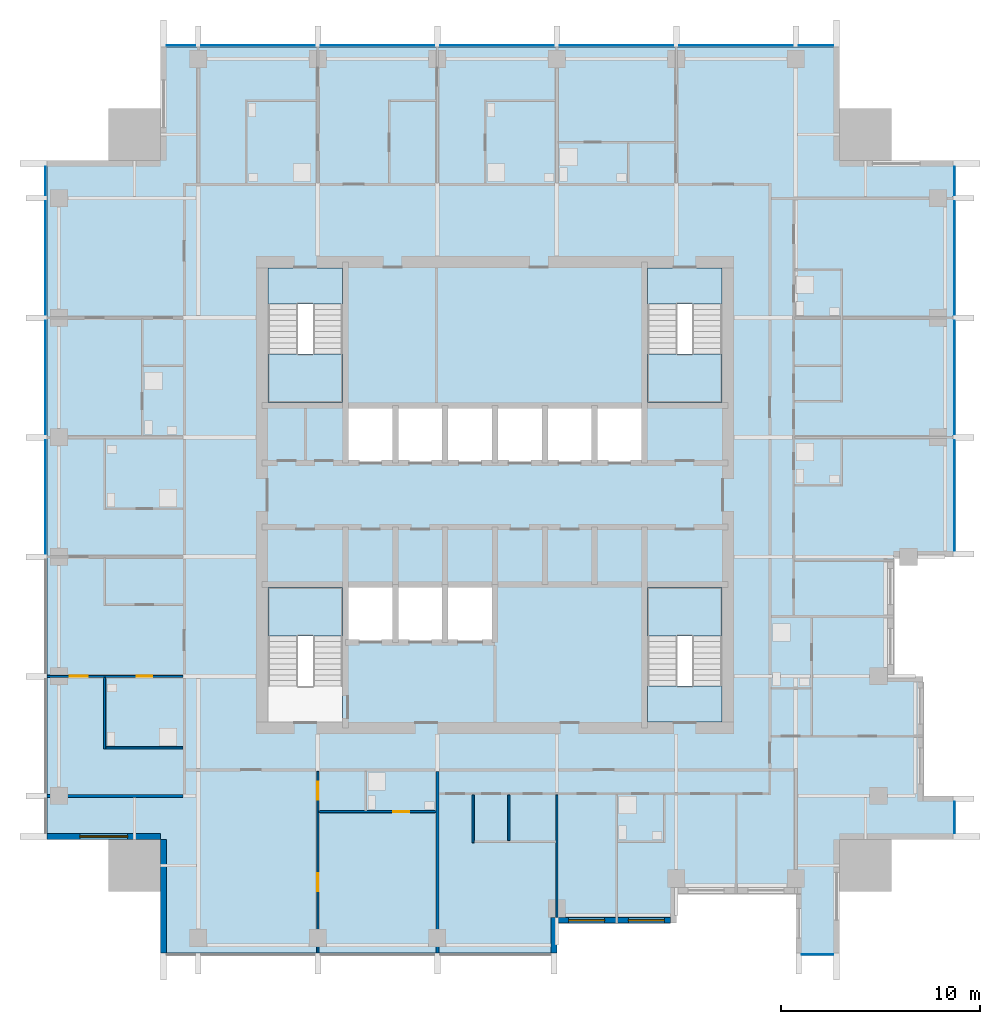
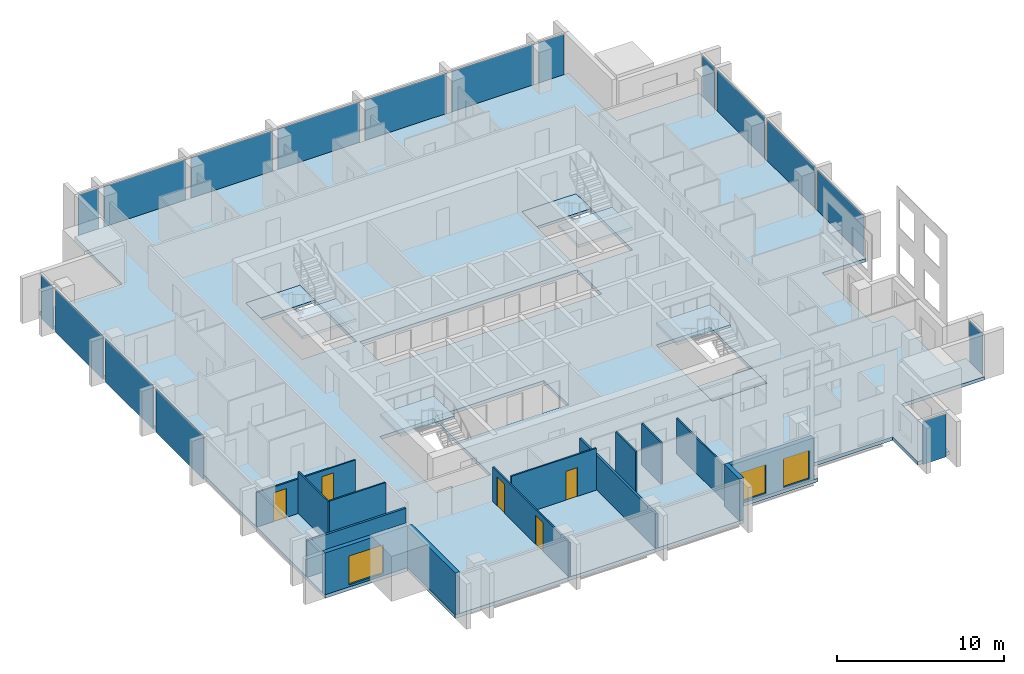
# One storey, part 3 of 11: 17 plates, 14 walls, 8 slabs, 5 doors, 3 windows, 8 openings, 9 elements without a shape of their own.
"""IFC4 building model written with IfcOpenShell, lengths in metres."""

from ifc_helpers import new_model, si_unit, direction, frame, frame_2d, origin, origin_2d, place, context, subcontext, project, spatial, polyline, rectangle, outline, extrude, material, layer, layer_set, type_object, element, fill, aggregate, save


model = new_model("IFC4")

# Units and contexts
model_context = context("Model", 3, precision=1e-05, world=origin(), true_north=direction((0.0, 1.0)))
body_context = subcontext(model_context, "Body", "Model", "MODEL_VIEW")
ifc_project = project(units=[si_unit("LENGTHUNIT", "METRE"), si_unit("AREAUNIT", "SQUARE_METRE"), si_unit("VOLUMEUNIT", "CUBIC_METRE"), si_unit("PLANEANGLEUNIT", "RADIAN"), si_unit("MASSUNIT", "GRAM", prefix="KILO")], contexts=[model_context])

# Site, building, storey
site_placement = place(None, origin())
site = spatial("IfcSite", under=ifc_project, at=site_placement, CompositionType="ELEMENT")
building_placement = place(site_placement, origin())
building = spatial("IfcBuilding", under=site, at=building_placement, Name="Amberfall Residences", CompositionType="ELEMENT")
storey_placement = place(building_placement, frame((0.0, 0.0, 196.89990234375)))
storey = spatial("IfcBuildingStorey", under=building, at=storey_placement, Name="L52", CompositionType="ELEMENT", Elevation=196.89990234375)

# Curtain wall, plate
ifc_material_1 = material(Name="Bronze anodised aluminium and glass", Category="aluminium")
curtain_wall_type = type_object("IfcCurtainWallType", Name="Curtain wall CW1 tower unit", PredefinedType="USERDEFINED", material=ifc_material_1)
curtain_wall_1_placement = place(storey_placement, origin())
curtain_wall_1 = element("IfcCurtainWall", 1, at=curtain_wall_1_placement, inside=storey, type_object=curtain_wall_type, Name="Curtain wall L52 S S7", ObjectType="UNITISED CURTAIN WALL", PredefinedType="USERDEFINED")
ifc_material_2 = material(Name="Tinted double glazed unit", Category="glass")
ifc_layer_1 = layer(ifc_material_2, 0.035888671875)
ifc_layer_set_1 = layer_set([ifc_layer_1], Name="CW1 panel 36 glazing")
plate_type = type_object("IfcPlateType", Name="CW1 panel 36 glazing", PredefinedType="CURTAIN_PANEL", material=ifc_layer_set_1)
plate_1_placement = place(storey_placement, frame((90.699951171875, 22.425048828125, -0.249755859375), z_axis=(0.0, 0.0, 1.0), x_axis=(1.0, 0.0, 0.0)))
plate_1 = element("IfcPlate", 2, at=plate_1_placement, type_object=plate_type, Name="CW1 panel 1.1", PredefinedType="CURTAIN_PANEL", context=body_context, shape_type="SweptSolid", body=[
    extrude(rectangle(XDim=1.575927734375, YDim=0.035888671875, at=origin_2d()), origin(), (0.0, 0.0, 1.0), 3.14990234375),
])
aggregate(curtain_wall_1, [plate_1])

curtain_wall_2_placement = place(storey_placement, origin())
curtain_wall_2 = element("IfcCurtainWall", 3, at=curtain_wall_2_placement, inside=storey, type_object=curtain_wall_type, Name="Curtain wall L52 E E1", ObjectType="UNITISED CURTAIN WALL", PredefinedType="USERDEFINED")
plate_2_placement = place(storey_placement, frame((97.574951171875, 29.300048828125, -0.249755859375), z_axis=(0.0, 0.0, 1.0), x_axis=(0.0, 1.0, 0.0)))
plate_2 = element("IfcPlate", 4, at=plate_2_placement, type_object=plate_type, Name="CW1 panel 1.1", PredefinedType="CURTAIN_PANEL", context=body_context, shape_type="SweptSolid", body=[
    extrude(rectangle(XDim=1.575927734375, YDim=0.035888671875, at=origin_2d()), origin(), (0.0, 0.0, 1.0), 3.14990234375),
])
aggregate(curtain_wall_2, [plate_2])

# Curtain wall, plates
curtain_wall_3_placement = place(storey_placement, origin())
curtain_wall_3 = element("IfcCurtainWall", 5, at=curtain_wall_3_placement, inside=storey, type_object=curtain_wall_type, Name="Curtain wall L52 E E7", ObjectType="UNITISED CURTAIN WALL", PredefinedType="USERDEFINED")
plate_3_placement = place(storey_placement, frame((97.574951171875, 45.47509765625, -0.249755859375), z_axis=(0.0, 0.0, 1.0), x_axis=(0.0, 1.0, 0.0)))
plate_3 = element("IfcPlate", 6, at=plate_3_placement, type_object=plate_type, Name="CW1 panel 1.1", PredefinedType="CURTAIN_PANEL", context=body_context, shape_type="SweptSolid", body=[
    extrude(rectangle(XDim=5.52587890625, YDim=0.035888671875, at=origin_2d()), origin(), (0.0, 0.0, 1.0), 3.14990234375),
])
plate_4_placement = place(storey_placement, frame((97.574951171875, 51.39990234375, -0.249755859375), z_axis=(0.0, 0.0, 1.0), x_axis=(0.0, 1.0, 0.0)))
plate_4 = element("IfcPlate", 7, at=plate_4_placement, type_object=plate_type, Name="CW1 panel 2.1", PredefinedType="CURTAIN_PANEL", context=body_context, shape_type="SweptSolid", body=[
    extrude(rectangle(XDim=5.676025390625, YDim=0.035888671875, at=origin_2d()), origin(), (0.0, 0.0, 1.0), 3.14990234375),
])
plate_5_placement = place(storey_placement, frame((97.574951171875, 57.39990234375, -0.249755859375), z_axis=(0.0, 0.0, 1.0), x_axis=(0.0, 1.0, 0.0)))
plate_5 = element("IfcPlate", 8, at=plate_5_placement, type_object=plate_type, Name="CW1 panel 3.1", PredefinedType="CURTAIN_PANEL", context=body_context, shape_type="SweptSolid", body=[
    extrude(rectangle(XDim=5.676025390625, YDim=0.035888671875, at=origin_2d()), origin(), (0.0, 0.0, 1.0), 3.14990234375),
])
plate_6_placement = place(storey_placement, frame((97.574951171875, 61.27490234375, -0.249755859375), z_axis=(0.0, 0.0, 1.0), x_axis=(0.0, 1.0, 0.0)))
plate_6 = element("IfcPlate", 9, at=plate_6_placement, type_object=plate_type, Name="CW1 panel 4.1", PredefinedType="CURTAIN_PANEL", context=body_context, shape_type="SweptSolid", body=[
    extrude(rectangle(XDim=1.426025390625, YDim=0.035888671875, at=origin_2d()), origin(), (0.0, 0.0, 1.0), 3.14990234375),
])
aggregate(curtain_wall_3, [plate_3, plate_4, plate_5, plate_6])

curtain_wall_4_placement = place(storey_placement, origin())
curtain_wall_4 = element("IfcCurtainWall", 10, at=curtain_wall_4_placement, inside=storey, type_object=curtain_wall_type, Name="Curtain wall L52 N N1", ObjectType="UNITISED CURTAIN WALL", PredefinedType="USERDEFINED")
plate_7_placement = place(storey_placement, frame((90.625, 68.074951171875, -0.249755859375), z_axis=(0.0, 0.0, 1.0), x_axis=(-1.0, 0.0, 0.0)))
plate_7 = element("IfcPlate", 11, at=plate_7_placement, type_object=plate_type, Name="CW1 panel 1.1", PredefinedType="CURTAIN_PANEL", context=body_context, shape_type="SweptSolid", body=[
    extrude(rectangle(XDim=1.72607421875, YDim=0.035888671875, at=origin_2d()), origin(), (0.0, 0.0, 1.0), 3.14990234375),
])
plate_8_placement = place(storey_placement, frame((86.60009765625, 68.074951171875, -0.249755859375), z_axis=(0.0, 0.0, 1.0), x_axis=(-1.0, 0.0, 0.0)))
plate_8 = element("IfcPlate", 12, at=plate_8_placement, type_object=plate_type, Name="CW1 panel 2.1", PredefinedType="CURTAIN_PANEL", context=body_context, shape_type="SweptSolid", body=[
    extrude(rectangle(XDim=5.676025390625, YDim=0.035888671875, at=origin_2d()), origin(), (0.0, 0.0, 1.0), 3.14990234375),
])
plate_9_placement = place(storey_placement, frame((80.60009765625, 68.074951171875, -0.249755859375), z_axis=(0.0, 0.0, 1.0), x_axis=(-1.0, 0.0, 0.0)))
plate_9 = element("IfcPlate", 13, at=plate_9_placement, type_object=plate_type, Name="CW1 panel 3.1", PredefinedType="CURTAIN_PANEL", context=body_context, shape_type="SweptSolid", body=[
    extrude(rectangle(XDim=5.676025390625, YDim=0.035888671875, at=origin_2d()), origin(), (0.0, 0.0, 1.0), 3.14990234375),
])
plate_10_placement = place(storey_placement, frame((74.60009765625, 68.074951171875, -0.249755859375), z_axis=(0.0, 0.0, 1.0), x_axis=(-1.0, 0.0, 0.0)))
plate_10 = element("IfcPlate", 14, at=plate_10_placement, type_object=plate_type, Name="CW1 panel 4.1", PredefinedType="CURTAIN_PANEL", context=body_context, shape_type="SweptSolid", body=[
    extrude(rectangle(XDim=5.676025390625, YDim=0.035888671875, at=origin_2d()), origin(), (0.0, 0.0, 1.0), 3.14990234375),
])
plate_11_placement = place(storey_placement, frame((68.60009765625, 68.074951171875, -0.249755859375), z_axis=(0.0, 0.0, 1.0), x_axis=(-1.0, 0.0, 0.0)))
plate_11 = element("IfcPlate", 15, at=plate_11_placement, type_object=plate_type, Name="CW1 panel 5.1", PredefinedType="CURTAIN_PANEL", context=body_context, shape_type="SweptSolid", body=[
    extrude(rectangle(XDim=5.676025390625, YDim=0.035888671875, at=origin_2d()), origin(), (0.0, 0.0, 1.0), 3.14990234375),
])
plate_12_placement = place(storey_placement, frame((62.60009765625, 68.074951171875, -0.249755859375), z_axis=(0.0, 0.0, 1.0), x_axis=(-1.0, 0.0, 0.0)))
plate_12 = element("IfcPlate", 16, at=plate_12_placement, type_object=plate_type, Name="CW1 panel 6.1", PredefinedType="CURTAIN_PANEL", context=body_context, shape_type="SweptSolid", body=[
    extrude(rectangle(XDim=5.676025390625, YDim=0.035888671875, at=origin_2d()), origin(), (0.0, 0.0, 1.0), 3.14990234375),
])
plate_13_placement = place(storey_placement, frame((58.72509765625, 68.074951171875, -0.249755859375), z_axis=(0.0, 0.0, 1.0), x_axis=(-1.0, 0.0, 0.0)))
plate_13 = element("IfcPlate", 17, at=plate_13_placement, type_object=plate_type, Name="CW1 panel 7.1", PredefinedType="CURTAIN_PANEL", context=body_context, shape_type="SweptSolid", body=[
    extrude(rectangle(XDim=1.426025390625, YDim=0.035888671875, at=origin_2d()), origin(), (0.0, 0.0, 1.0), 3.14990234375),
])
aggregate(curtain_wall_4, [plate_7, plate_8, plate_9, plate_10, plate_11, plate_12, plate_13])

curtain_wall_5_placement = place(storey_placement, origin())
curtain_wall_5 = element("IfcCurtainWall", 18, at=curtain_wall_5_placement, inside=storey, type_object=curtain_wall_type, Name="Curtain wall L52 W W1", ObjectType="UNITISED CURTAIN WALL", PredefinedType="USERDEFINED")
plate_14_placement = place(storey_placement, frame((51.925048828125, 61.27490234375, -0.249755859375), z_axis=(0.0, 0.0, 1.0), x_axis=(0.0, -1.0, 0.0)))
plate_14 = element("IfcPlate", 19, at=plate_14_placement, type_object=plate_type, Name="CW1 panel 1.1", PredefinedType="CURTAIN_PANEL", context=body_context, shape_type="SweptSolid", body=[
    extrude(rectangle(XDim=1.426025390625, YDim=0.035888671875, at=origin_2d()), origin(), (0.0, 0.0, 1.0), 3.14990234375),
])
plate_15_placement = place(storey_placement, frame((51.925048828125, 57.39990234375, -0.249755859375), z_axis=(0.0, 0.0, 1.0), x_axis=(0.0, -1.0, 0.0)))
plate_15 = element("IfcPlate", 20, at=plate_15_placement, type_object=plate_type, Name="CW1 panel 2.1", PredefinedType="CURTAIN_PANEL", context=body_context, shape_type="SweptSolid", body=[
    extrude(rectangle(XDim=5.676025390625, YDim=0.035888671875, at=origin_2d()), origin(), (0.0, 0.0, 1.0), 3.14990234375),
])
plate_16_placement = place(storey_placement, frame((51.925048828125, 51.39990234375, -0.249755859375), z_axis=(0.0, 0.0, 1.0), x_axis=(0.0, -1.0, 0.0)))
plate_16 = element("IfcPlate", 21, at=plate_16_placement, type_object=plate_type, Name="CW1 panel 3.1", PredefinedType="CURTAIN_PANEL", context=body_context, shape_type="SweptSolid", body=[
    extrude(rectangle(XDim=5.676025390625, YDim=0.035888671875, at=origin_2d()), origin(), (0.0, 0.0, 1.0), 3.14990234375),
])
plate_17_placement = place(storey_placement, frame((51.925048828125, 45.39990234375, -0.249755859375), z_axis=(0.0, 0.0, 1.0), x_axis=(0.0, -1.0, 0.0)))
plate_17 = element("IfcPlate", 22, at=plate_17_placement, type_object=plate_type, Name="CW1 panel 4.1", PredefinedType="CURTAIN_PANEL", context=body_context, shape_type="SweptSolid", body=[
    extrude(rectangle(XDim=5.676025390625, YDim=0.035888671875, at=origin_2d()), origin(), (0.0, 0.0, 1.0), 3.14990234375),
])
aggregate(curtain_wall_5, [plate_14, plate_15, plate_16, plate_17])

# Slab
ifc_material_3 = material(Name="Concrete C55", Category="concrete")
ifc_layer_2 = layer(ifc_material_3, 0.25)
ifc_layer_set_2 = layer_set([ifc_layer_2], Name="Floor slab 250 C55")
slab_type_1 = type_object("IfcSlabType", Name="Floor slab 250 C55", PredefinedType="FLOOR", material=ifc_layer_set_2)
slab_1_placement = place(storey_placement, frame((0.0, 0.0, -0.25)))
element("IfcSlab", 23, at=slab_1_placement, inside=storey, type_object=slab_type_1, Name="Floor slab S16 L52", PredefinedType="FLOOR", context=body_context, shape_type="SweptSolid", body=[
    extrude(outline(polyline([(89.60009765625, 22.5), (89.60009765625, 25.5), (83.60009765625, 25.5), (83.60009765625, 24.0), (77.60009765625, 24.0), (77.60009765625, 22.5), (57.699951171875, 22.5), (57.699951171875, 28.199951171875), (52.0, 28.199951171875), (52.0, 62.300048828125), (57.699951171875, 62.300048828125), (57.699951171875, 68.0), (91.800048828125, 68.0), (91.800048828125, 62.300048828125), (97.5, 62.300048828125), (97.5, 42.39990234375), (94.5, 42.39990234375), (94.5, 36.39990234375), (96.0, 36.39990234375), (96.0, 30.39990234375), (97.5, 30.39990234375), (97.5, 28.199951171875), (91.800048828125, 28.199951171875), (91.800048828125, 22.5), (89.60009765625, 22.5)]), holes=[polyline([(85.89990234375, 34.10009765625), (85.89990234375, 40.85009765625), (82.14990234375, 40.85009765625), (82.14990234375, 34.10009765625), (85.89990234375, 34.10009765625)]), polyline([(85.89990234375, 50.14990234375), (85.89990234375, 56.89990234375), (82.14990234375, 56.89990234375), (82.14990234375, 50.14990234375), (85.89990234375, 50.14990234375)]), polyline([(67.0, 50.0), (67.0, 47.10009765625), (69.5, 47.10009765625), (72.0, 47.10009765625), (74.5, 47.10009765625), (77.0, 47.10009765625), (79.5, 47.10009765625), (82.0, 47.10009765625), (82.0, 50.0), (79.5, 50.0), (77.0, 50.0), (74.5, 50.0), (72.0, 50.0), (69.5, 50.0), (67.0, 50.0)]), polyline([(69.5, 41.0), (67.0, 41.0), (67.0, 38.10009765625), (69.5, 38.10009765625), (72.0, 38.10009765625), (74.5, 38.10009765625), (74.5, 41.0), (72.0, 41.0), (69.5, 41.0)]), polyline([(66.85009765625, 40.85009765625), (63.10009765625, 40.85009765625), (63.10009765625, 34.10009765625), (66.85009765625, 34.10009765625), (66.85009765625, 40.85009765625)]), polyline([(66.85009765625, 56.89990234375), (63.10009765625, 56.89990234375), (63.10009765625, 50.14990234375), (66.85009765625, 50.14990234375), (66.85009765625, 56.89990234375)])]), origin(), (0.0, 0.0, 1.0), 0.25),
])

# Stair, slab
ifc_material_4 = material(Name="Concrete C40", Category="concrete")
stair_type = type_object("IfcStairType", Name="Exit stair 20 risers 165.0 mm", PredefinedType="HALF_TURN_STAIR", material=ifc_material_4)
stair_1_placement = place(storey_placement, origin())
stair_1 = element("IfcStair", 24, at=stair_1_placement, inside=storey, type_object=stair_type, Name="L52 Exit stair 1", PredefinedType="HALF_TURN_STAIR")
ifc_layer_3 = layer(ifc_material_4, 0.199951171875)
ifc_layer_set_3 = layer_set([ifc_layer_3], Name="Stair landing 200")
slab_type_2 = type_object("IfcSlabType", Name="Stair landing 200", PredefinedType="LANDING", material=ifc_layer_set_3)
slab_2_placement = place(storey_placement, frame((0.0, 0.0, 1.4501953125)))
slab_2 = element("IfcSlab", 25, at=slab_2_placement, type_object=slab_type_2, Name="ST3 landing 1", PredefinedType="LANDING", context=body_context, shape_type="SweptSolid", body=[
    extrude(outline(polyline([(66.85009765625, 38.419921875), (66.85009765625, 40.85009765625), (63.10009765625, 40.85009765625), (63.10009765625, 38.419921875), (66.85009765625, 38.419921875)])), origin(), (0.0, 0.0, 1.0), 0.199951171875),
])
aggregate(stair_1, [slab_2])

# Stair, slabs
stair_2_placement = place(storey_placement, origin())
stair_2 = element("IfcStair", 26, at=stair_2_placement, inside=storey, type_object=stair_type, Name="L52 Exit stair 2", PredefinedType="HALF_TURN_STAIR")
slab_3_placement = place(storey_placement, frame((0.0, 0.0, 1.4501953125)))
slab_3 = element("IfcSlab", 27, at=slab_3_placement, type_object=slab_type_2, Name="ST3 landing 1", PredefinedType="LANDING", context=body_context, shape_type="SweptSolid", body=[
    extrude(outline(polyline([(85.89990234375, 38.419921875), (85.89990234375, 40.85009765625), (82.14990234375, 40.85009765625), (82.14990234375, 38.419921875), (85.89990234375, 38.419921875)])), origin(), (0.0, 0.0, 1.0), 0.199951171875),
])
slab_4_placement = place(storey_placement, frame((0.0, 0.0, -0.199951171875)))
slab_4 = element("IfcSlab", 28, at=slab_4_placement, type_object=slab_type_2, Name="ST3 landing 2", PredefinedType="LANDING", context=body_context, shape_type="SweptSolid", body=[
    extrude(outline(polyline([(85.89990234375, 34.10009765625), (85.89990234375, 35.89990234375), (82.14990234375, 35.89990234375), (82.14990234375, 34.10009765625), (85.89990234375, 34.10009765625)])), origin(), (0.0, 0.0, 1.0), 0.199951171875),
])
aggregate(stair_2, [slab_3, slab_4])

stair_3_placement = place(storey_placement, origin())
stair_3 = element("IfcStair", 29, at=stair_3_placement, inside=storey, type_object=stair_type, Name="L52 Exit stair 3", PredefinedType="HALF_TURN_STAIR")
slab_5_placement = place(storey_placement, frame((0.0, 0.0, 1.4501953125)))
slab_5 = element("IfcSlab", 30, at=slab_5_placement, type_object=slab_type_2, Name="ST3 landing 1", PredefinedType="LANDING", context=body_context, shape_type="SweptSolid", body=[
    extrude(outline(polyline([(82.14990234375, 52.580078125), (82.14990234375, 50.14990234375), (85.89990234375, 50.14990234375), (85.89990234375, 52.580078125), (82.14990234375, 52.580078125)])), origin(), (0.0, 0.0, 1.0), 0.199951171875),
])
slab_6_placement = place(storey_placement, frame((0.0, 0.0, -0.199951171875)))
slab_6 = element("IfcSlab", 31, at=slab_6_placement, type_object=slab_type_2, Name="ST3 landing 2", PredefinedType="LANDING", context=body_context, shape_type="SweptSolid", body=[
    extrude(outline(polyline([(82.14990234375, 56.89990234375), (82.14990234375, 55.10009765625), (85.89990234375, 55.10009765625), (85.89990234375, 56.89990234375), (82.14990234375, 56.89990234375)])), origin(), (0.0, 0.0, 1.0), 0.199951171875),
])
aggregate(stair_3, [slab_5, slab_6])

stair_4_placement = place(storey_placement, origin())
stair_4 = element("IfcStair", 32, at=stair_4_placement, inside=storey, type_object=stair_type, Name="L52 Exit stair 4", PredefinedType="HALF_TURN_STAIR")
slab_7_placement = place(storey_placement, frame((0.0, 0.0, 1.4501953125)))
slab_7 = element("IfcSlab", 33, at=slab_7_placement, type_object=slab_type_2, Name="ST3 landing 1", PredefinedType="LANDING", context=body_context, shape_type="SweptSolid", body=[
    extrude(outline(polyline([(63.10009765625, 52.580078125), (63.10009765625, 50.14990234375), (66.85009765625, 50.14990234375), (66.85009765625, 52.580078125), (63.10009765625, 52.580078125)])), origin(), (0.0, 0.0, 1.0), 0.199951171875),
])
slab_8_placement = place(storey_placement, frame((0.0, 0.0, -0.199951171875)))
slab_8 = element("IfcSlab", 34, at=slab_8_placement, type_object=slab_type_2, Name="ST3 landing 2", PredefinedType="LANDING", context=body_context, shape_type="SweptSolid", body=[
    extrude(outline(polyline([(63.10009765625, 56.89990234375), (63.10009765625, 55.10009765625), (66.85009765625, 55.10009765625), (66.85009765625, 56.89990234375), (63.10009765625, 56.89990234375)])), origin(), (0.0, 0.0, 1.0), 0.199951171875),
])
aggregate(stair_4, [slab_7, slab_8])

# Wall
ifc_material_5 = material(Name="Pale stone cladding on insulated backing", Category="masonry")
ifc_layer_4 = layer(ifc_material_5, 0.300048828125)
ifc_layer_set_4 = layer_set([ifc_layer_4], Name="Bronze clad wall 300")
wall_type_1 = type_object("IfcWallType", Name="Bronze clad wall 300", PredefinedType="SOLIDWALL", material=ifc_layer_set_4)
wall_1_placement = place(storey_placement, frame((77.449951171875, 22.5, 0.0), z_axis=(0.0, 0.0, 1.0), x_axis=(0.0, 1.0, 0.0)))
element("IfcWall", 35, at=wall_1_placement, inside=storey, type_object=wall_type_1, Name="External wall L52 S", PredefinedType="SOLIDWALL", context=body_context, shape_type="SweptSolid", body=[
    extrude(rectangle(XDim=1.800048828125, YDim=0.300048828125, at=frame_2d((0.89990234375, 0.0))), origin(), (0.0, 0.0, 1.0), 3.050048828125),
])

# Wall, opening, window
wall_2_placement = place(storey_placement, frame((52.0, 28.35009765625, 0.0), z_axis=(0.0, 0.0, 1.0), x_axis=(1.0, 0.0, 0.0)))
wall_2 = element("IfcWall", 36, at=wall_2_placement, inside=storey, type_object=wall_type_1, Name="External wall L52 SW", PredefinedType="SOLIDWALL", context=body_context, shape_type="SweptSolid", body=[
    extrude(rectangle(XDim=5.699951171875, YDim=0.300048828125, at=frame_2d((2.85009765625, 0.0))), origin(), (0.0, 0.0, 1.0), 3.050048828125),
])
opening_1_placement = place(wall_2_placement, frame((1.64990234375, 0.0, 0.14990234375)))
opening_1 = element("IfcOpeningElement", 37, at=opening_1_placement, cuts=wall_2, Name="Opening WN5", PredefinedType="OPENING", context=body_context, shape_type="SweptSolid", body=[
    extrude(rectangle(XDim=2.39990234375, YDim=2.10009765625, at=frame_2d((1.199951171875, 1.050048828125))), frame((0.0, 0.159912109375, 0.0), z_axis=(0.0, -1.0, 0.0), x_axis=(1.0, 0.0, 0.0)), (0.0, 0.0, 1.0), 0.320068359375),
])
ifc_material_6 = material(Name="Bronze aluminium framed glazing", Category="aluminium")
window_type_1 = type_object("IfcWindowType", Name="Glazed opening 2400 x 2100 bronze", PartitioningType="DOUBLE_PANEL_VERTICAL", PredefinedType="WINDOW", material=ifc_material_6)
window_1_placement = place(opening_1_placement, origin())
window_1 = element("IfcWindow", 38, at=window_1_placement, inside=storey, type_object=window_type_1, Name="Window L52 SW", OverallHeight=2.10009765625, OverallWidth=2.39990234375, PartitioningType="DOUBLE_PANEL_VERTICAL", PredefinedType="WINDOW", context=body_context, shape_type="SweptSolid", body=[
    extrude(rectangle(XDim=2.39990234375, YDim=2.10009765625, at=frame_2d((1.199951171875, 1.050048828125))), frame((0.0, 0.030029296875, 0.0), z_axis=(0.0, -1.0, 0.0), x_axis=(1.0, 0.0, 0.0)), (0.0, 0.0, 1.0), 0.06005859375),
])
fill(opening_1, window_1)

# Wall
wall_3_placement = place(storey_placement, frame((57.85009765625, 28.199951171875, 0.0), z_axis=(0.0, 0.0, 1.0), x_axis=(0.0, -1.0, 0.0)))
element("IfcWall", 39, at=wall_3_placement, inside=storey, type_object=wall_type_1, Name="External wall L52 SW", PredefinedType="SOLIDWALL", context=body_context, shape_type="SweptSolid", body=[
    extrude(rectangle(XDim=5.699951171875, YDim=0.300048828125, at=frame_2d((2.85009765625, 0.0))), origin(), (0.0, 0.0, 1.0), 3.050048828125),
])

# Wall, openings, windows
wall_4_placement = place(storey_placement, frame((77.60009765625, 24.14990234375, 0.0), z_axis=(0.0, 0.0, 1.0), x_axis=(1.0, 0.0, 0.0)))
wall_4 = element("IfcWall", 40, at=wall_4_placement, inside=storey, type_object=wall_type_1, Name="Stone wall L52 S", PredefinedType="SOLIDWALL", context=body_context, shape_type="SweptSolid", body=[
    extrude(rectangle(XDim=5.699951171875, YDim=0.300048828125, at=frame_2d((2.85009765625, 0.0))), origin(), (0.0, 0.0, 1.0), 3.050048828125),
])
opening_2_placement = place(wall_4_placement, frame((0.60009765625, 0.0, 0.14990234375)))
opening_2 = element("IfcOpeningElement", 41, at=opening_2_placement, cuts=wall_4, Name="Opening WN6", PredefinedType="OPENING", context=body_context, shape_type="SweptSolid", body=[
    extrude(rectangle(XDim=1.800048828125, YDim=2.10009765625, at=frame_2d((0.89990234375, 1.050048828125))), frame((0.0, 0.159912109375, 0.0), z_axis=(0.0, -1.0, 0.0), x_axis=(1.0, 0.0, 0.0)), (0.0, 0.0, 1.0), 0.320068359375),
])
opening_3_placement = place(wall_4_placement, frame((3.60009765625, 0.0, 0.14990234375)))
opening_3 = element("IfcOpeningElement", 42, at=opening_3_placement, cuts=wall_4, Name="Opening WN6", PredefinedType="OPENING", context=body_context, shape_type="SweptSolid", body=[
    extrude(rectangle(XDim=1.800048828125, YDim=2.10009765625, at=frame_2d((0.89990234375, 1.050048828125))), frame((0.0, 0.159912109375, 0.0), z_axis=(0.0, -1.0, 0.0), x_axis=(1.0, 0.0, 0.0)), (0.0, 0.0, 1.0), 0.320068359375),
])
window_type_2 = type_object("IfcWindowType", Name="Glazed opening 1800 x 2100 bronze", PartitioningType="DOUBLE_PANEL_VERTICAL", PredefinedType="WINDOW", material=ifc_material_6)
window_2_placement = place(opening_2_placement, origin())
window_2 = element("IfcWindow", 43, at=window_2_placement, inside=storey, type_object=window_type_2, Name="Window L52 S", OverallHeight=2.10009765625, OverallWidth=1.800048828125, PartitioningType="DOUBLE_PANEL_VERTICAL", PredefinedType="WINDOW", context=body_context, shape_type="SweptSolid", body=[
    extrude(rectangle(XDim=1.800048828125, YDim=2.10009765625, at=frame_2d((0.89990234375, 1.050048828125))), frame((0.0, 0.030029296875, 0.0), z_axis=(0.0, -1.0, 0.0), x_axis=(1.0, 0.0, 0.0)), (0.0, 0.0, 1.0), 0.06005859375),
])
fill(opening_2, window_2)
window_3_placement = place(opening_3_placement, origin())
window_3 = element("IfcWindow", 44, at=window_3_placement, inside=storey, type_object=window_type_2, Name="Window L52 S", OverallHeight=2.10009765625, OverallWidth=1.800048828125, PartitioningType="DOUBLE_PANEL_VERTICAL", PredefinedType="WINDOW", context=body_context, shape_type="SweptSolid", body=[
    extrude(rectangle(XDim=1.800048828125, YDim=2.10009765625, at=frame_2d((0.89990234375, 1.050048828125))), frame((0.0, 0.030029296875, 0.0), z_axis=(0.0, -1.0, 0.0), x_axis=(1.0, 0.0, 0.0)), (0.0, 0.0, 1.0), 0.06005859375),
])
fill(opening_3, window_3)

# Wall
ifc_material_7 = material(Name="Gypsum board on metal stud")
ifc_layer_5 = layer(ifc_material_7, 0.10009765625)
ifc_layer_set_5 = layer_set([ifc_layer_5], Name="Flat partition 100")
wall_type_2 = type_object("IfcWallType", Name="Flat partition 100", PredefinedType="PARTITIONING", material=ifc_layer_set_5)
wall_5_placement = place(storey_placement, frame((54.89990234375, 32.75, 0.0), z_axis=(0.0, 0.0, 1.0), x_axis=(0.0, 1.0, 0.0)))
element("IfcWall", 45, at=wall_5_placement, inside=storey, type_object=wall_type_2, Name="Partition 001", PredefinedType="PARTITIONING", context=body_context, shape_type="SweptSolid", body=[
    extrude(rectangle(XDim=3.60009765625, YDim=0.10009765625, at=frame_2d((1.800048828125, 0.0))), origin(), (0.0, 0.0, 1.0), 3.050048828125),
])

# Wall, openings, doors
wall_6_placement = place(storey_placement, frame((65.60009765625, 31.625, 0.0), z_axis=(0.0, 0.0, 1.0), x_axis=(0.0, -1.0, 0.0)))
wall_6 = element("IfcWall", 46, at=wall_6_placement, inside=storey, type_object=wall_type_2, Name="Partition 006", PredefinedType="PARTITIONING", context=body_context, shape_type="SweptSolid", body=[
    extrude(rectangle(XDim=9.125, YDim=0.10009765625, at=frame_2d((4.5625, 0.0))), origin(), (0.0, 0.0, 1.0), 2.51611328125),
])
opening_4_placement = place(wall_6_placement, frame((0.52490234375, 0.0, 0.0)))
opening_4 = element("IfcOpeningElement", 47, at=opening_4_placement, cuts=wall_6, Name="Opening D41", PredefinedType="OPENING", context=body_context, shape_type="SweptSolid", body=[
    extrude(rectangle(XDim=0.89990234375, YDim=2.10009765625, at=frame_2d((0.449951171875, 1.050048828125))), frame((0.0, 0.06005859375, 0.0), z_axis=(0.0, -1.0, 0.0), x_axis=(1.0, 0.0, 0.0)), (0.0, 0.0, 1.0), 0.1201171875),
])
opening_5_placement = place(wall_6_placement, frame((5.125, 0.0, 0.0)))
opening_5 = element("IfcOpeningElement", 48, at=opening_5_placement, cuts=wall_6, Name="Opening D41", PredefinedType="OPENING", context=body_context, shape_type="SweptSolid", body=[
    extrude(rectangle(XDim=0.89990234375, YDim=2.10009765625, at=frame_2d((0.449951171875, 1.050048828125))), frame((0.0, 0.06005859375, 0.0), z_axis=(0.0, -1.0, 0.0), x_axis=(1.0, 0.0, 0.0)), (0.0, 0.0, 1.0), 0.1201171875),
])
ifc_material_8 = material(Name="Timber", Category="wood")
door_type_1 = type_object("IfcDoorType", Name="Internal door 900 x 2100", OperationType="SINGLE_SWING_LEFT", PredefinedType="DOOR", material=ifc_material_8)
door_1_placement = place(opening_4_placement, origin())
door_1 = element("IfcDoor", 49, at=door_1_placement, inside=storey, type_object=door_type_1, Name="Door 5201 kitchen", OperationType="SINGLE_SWING_LEFT", OverallHeight=2.10009765625, OverallWidth=0.89990234375, PredefinedType="DOOR", context=body_context, shape_type="SweptSolid", body=[
    extrude(rectangle(XDim=0.89990234375, YDim=2.10009765625, at=frame_2d((0.449951171875, 1.050048828125))), frame((0.0, 0.02490234375, 0.0), z_axis=(0.0, -1.0, 0.0), x_axis=(1.0, 0.0, 0.0)), (0.0, 0.0, 1.0), 0.050048828125),
])
fill(opening_4, door_1)
door_2_placement = place(opening_5_placement, origin())
door_2 = element("IfcDoor", 50, at=door_2_placement, inside=storey, type_object=door_type_1, Name="Door 5201 bedroom1", OperationType="SINGLE_SWING_LEFT", OverallHeight=2.10009765625, OverallWidth=0.89990234375, PredefinedType="DOOR", context=body_context, shape_type="SweptSolid", body=[
    extrude(rectangle(XDim=0.89990234375, YDim=2.10009765625, at=frame_2d((0.449951171875, 1.050048828125))), frame((0.0, 0.02490234375, 0.0), z_axis=(0.0, -1.0, 0.0), x_axis=(1.0, 0.0, 0.0)), (0.0, 0.0, 1.0), 0.050048828125),
])
fill(opening_5, door_2)

# Walls
wall_7_placement = place(storey_placement, frame((73.39990234375, 28.050048828125, 0.0), z_axis=(0.0, 0.0, 1.0), x_axis=(0.0, 1.0, 0.0)))
element("IfcWall", 51, at=wall_7_placement, inside=storey, type_object=wall_type_2, Name="Partition 011", PredefinedType="PARTITIONING", context=body_context, shape_type="SweptSolid", body=[
    extrude(rectangle(XDim=2.39990234375, YDim=0.10009765625, at=frame_2d((1.199951171875, 0.0))), origin(), (0.0, 0.0, 1.0), 3.050048828125),
])
wall_8_placement = place(storey_placement, frame((75.199951171875, 28.14990234375, 0.0), z_axis=(0.0, 0.0, 1.0), x_axis=(0.0, 1.0, 0.0)))
element("IfcWall", 52, at=wall_8_placement, inside=storey, type_object=wall_type_2, Name="Partition 013", PredefinedType="PARTITIONING", context=body_context, shape_type="SweptSolid", body=[
    extrude(rectangle(XDim=2.300048828125, YDim=0.10009765625, at=frame_2d((1.14990234375, 0.0))), origin(), (0.0, 0.0, 1.0), 3.050048828125),
])
wall_9_placement = place(storey_placement, frame((77.60009765625, 24.0, 0.0), z_axis=(0.0, 0.0, 1.0), x_axis=(0.0, 1.0, 0.0)))
element("IfcWall", 53, at=wall_9_placement, inside=storey, type_object=wall_type_2, Name="Partition 014", PredefinedType="PARTITIONING", context=body_context, shape_type="SweptSolid", body=[
    extrude(rectangle(XDim=6.449951171875, YDim=0.10009765625, at=frame_2d((3.22509765625, 0.0))), origin(), (0.0, 0.0, 1.0), 2.590087890625),
])

# Wall, openings, doors
wall_10_placement = place(storey_placement, frame((58.824951171875, 36.39990234375, 0.0), z_axis=(0.0, 0.0, 1.0), x_axis=(-1.0, 0.0, 0.0)))
wall_10 = element("IfcWall", 54, at=wall_10_placement, inside=storey, type_object=wall_type_2, Name="Partition 041", PredefinedType="PARTITIONING", context=body_context, shape_type="SweptSolid", body=[
    extrude(rectangle(XDim=6.824951171875, YDim=0.10009765625, at=frame_2d((3.41259765625, 0.0))), origin(), (0.0, 0.0, 1.0), 2.51611328125),
])
opening_6_placement = place(wall_10_placement, frame((4.77490234375, 0.0, 0.0)))
opening_6 = element("IfcOpeningElement", 55, at=opening_6_placement, cuts=wall_10, Name="Opening D41", PredefinedType="OPENING", context=body_context, shape_type="SweptSolid", body=[
    extrude(rectangle(XDim=0.89990234375, YDim=2.10009765625, at=frame_2d((0.449951171875, 1.050048828125))), frame((0.0, 0.06005859375, 0.0), z_axis=(0.0, -1.0, 0.0), x_axis=(1.0, 0.0, 0.0)), (0.0, 0.0, 1.0), 0.1201171875),
])
opening_7_placement = place(wall_10_placement, frame((1.52490234375, 0.0, 0.0)))
opening_7 = element("IfcOpeningElement", 56, at=opening_7_placement, cuts=wall_10, Name="Opening D42", PredefinedType="OPENING", context=body_context, shape_type="SweptSolid", body=[
    extrude(rectangle(XDim=0.800048828125, YDim=2.10009765625, at=frame_2d((0.39990234375, 1.050048828125))), frame((0.0, 0.06005859375, 0.0), z_axis=(0.0, -1.0, 0.0), x_axis=(1.0, 0.0, 0.0)), (0.0, 0.0, 1.0), 0.1201171875),
])
door_type_2 = type_object("IfcDoorType", Name="Bathroom door 800 x 2100", OperationType="SINGLE_SWING_LEFT", PredefinedType="DOOR", material=ifc_material_8)
door_3_placement = place(opening_7_placement, origin())
door_3 = element("IfcDoor", 57, at=door_3_placement, inside=storey, type_object=door_type_2, Name="Door 5207 bath1", OperationType="SINGLE_SWING_LEFT", OverallHeight=2.10009765625, OverallWidth=0.800048828125, PredefinedType="DOOR", context=body_context, shape_type="SweptSolid", body=[
    extrude(rectangle(XDim=0.800048828125, YDim=2.10009765625, at=frame_2d((0.39990234375, 1.050048828125))), frame((0.0, 0.02490234375, 0.0), z_axis=(0.0, -1.0, 0.0), x_axis=(1.0, 0.0, 0.0)), (0.0, 0.0, 1.0), 0.050048828125),
])
fill(opening_7, door_3)
door_4_placement = place(opening_6_placement, origin())
door_4 = element("IfcDoor", 58, at=door_4_placement, inside=storey, type_object=door_type_1, Name="Door 5207 bedroom1", OperationType="SINGLE_SWING_LEFT", OverallHeight=2.10009765625, OverallWidth=0.89990234375, PredefinedType="DOOR", context=body_context, shape_type="SweptSolid", body=[
    extrude(rectangle(XDim=0.89990234375, YDim=2.10009765625, at=frame_2d((0.449951171875, 1.050048828125))), frame((0.0, 0.02490234375, 0.0), z_axis=(0.0, -1.0, 0.0), x_axis=(1.0, 0.0, 0.0)), (0.0, 0.0, 1.0), 0.050048828125),
])
fill(opening_6, door_4)

# Wall
wall_11_placement = place(storey_placement, frame((54.949951171875, 32.800048828125, 0.0), z_axis=(0.0, 0.0, 1.0), x_axis=(1.0, 0.0, 0.0)))
element("IfcWall", 59, at=wall_11_placement, inside=storey, type_object=wall_type_2, Name="Partition 044", PredefinedType="PARTITIONING", context=body_context, shape_type="SweptSolid", body=[
    extrude(rectangle(XDim=3.875, YDim=0.10009765625, at=frame_2d((1.9375, 0.0))), origin(), (0.0, 0.0, 1.0), 3.050048828125),
])

# Wall, opening, door
wall_12_placement = place(storey_placement, frame((65.64990234375, 29.60009765625, 0.0), z_axis=(0.0, 0.0, 1.0), x_axis=(1.0, 0.0, 0.0)))
wall_12 = element("IfcWall", 60, at=wall_12_placement, inside=storey, type_object=wall_type_2, Name="Partition 046", PredefinedType="PARTITIONING", context=body_context, shape_type="SweptSolid", body=[
    extrude(rectangle(XDim=5.875, YDim=0.10009765625, at=frame_2d((2.9375, 0.0))), origin(), (0.0, 0.0, 1.0), 3.050048828125),
])
opening_8_placement = place(wall_12_placement, frame((3.75, 0.0, 0.0)))
opening_8 = element("IfcOpeningElement", 61, at=opening_8_placement, cuts=wall_12, Name="Opening D42", PredefinedType="OPENING", context=body_context, shape_type="SweptSolid", body=[
    extrude(rectangle(XDim=0.800048828125, YDim=2.10009765625, at=frame_2d((0.39990234375, 1.050048828125))), frame((0.0, 0.06005859375, 0.0), z_axis=(0.0, -1.0, 0.0), x_axis=(1.0, 0.0, 0.0)), (0.0, 0.0, 1.0), 0.1201171875),
])
door_5_placement = place(opening_8_placement, origin())
door_5 = element("IfcDoor", 62, at=door_5_placement, inside=storey, type_object=door_type_2, Name="Door 5201 bath1", OperationType="SINGLE_SWING_LEFT", OverallHeight=2.10009765625, OverallWidth=0.800048828125, PredefinedType="DOOR", context=body_context, shape_type="SweptSolid", body=[
    extrude(rectangle(XDim=0.800048828125, YDim=2.10009765625, at=frame_2d((0.39990234375, 1.050048828125))), frame((0.0, 0.02490234375, 0.0), z_axis=(0.0, -1.0, 0.0), x_axis=(1.0, 0.0, 0.0)), (0.0, 0.0, 1.0), 0.050048828125),
])
fill(opening_8, door_5)

# Walls
ifc_material_9 = material(Name="Blockwork, plastered", Category="masonry")
ifc_layer_6 = layer(ifc_material_9, 0.14990234375)
ifc_layer_set_6 = layer_set([ifc_layer_6], Name="Flat separating wall 150")
wall_type_3 = type_object("IfcWallType", Name="Flat separating wall 150", PredefinedType="PARTITIONING", material=ifc_layer_set_6)
wall_13_placement = place(storey_placement, frame((71.60009765625, 22.5, 0.0), z_axis=(0.0, 0.0, 1.0), x_axis=(0.0, 1.0, 0.0)))
element("IfcWall", 63, at=wall_13_placement, inside=storey, type_object=wall_type_3, Name="Separating wall 051", PredefinedType="PARTITIONING", context=body_context, shape_type="SweptSolid", body=[
    extrude(rectangle(XDim=9.125, YDim=0.14990234375, at=frame_2d((4.5625, 0.0))), origin(), (0.0, 0.0, 1.0), 2.51611328125),
])
wall_14_placement = place(storey_placement, frame((52.0, 30.39990234375, 0.0), z_axis=(0.0, 0.0, 1.0), x_axis=(1.0, 0.0, 0.0)))
element("IfcWall", 64, at=wall_14_placement, inside=storey, type_object=wall_type_3, Name="Separating wall 060", PredefinedType="PARTITIONING", context=body_context, shape_type="SweptSolid", body=[
    extrude(rectangle(XDim=6.824951171875, YDim=0.14990234375, at=frame_2d((3.41259765625, 0.0))), origin(), (0.0, 0.0, 1.0), 2.647216796875),
])

save(model, "model.ifc")
